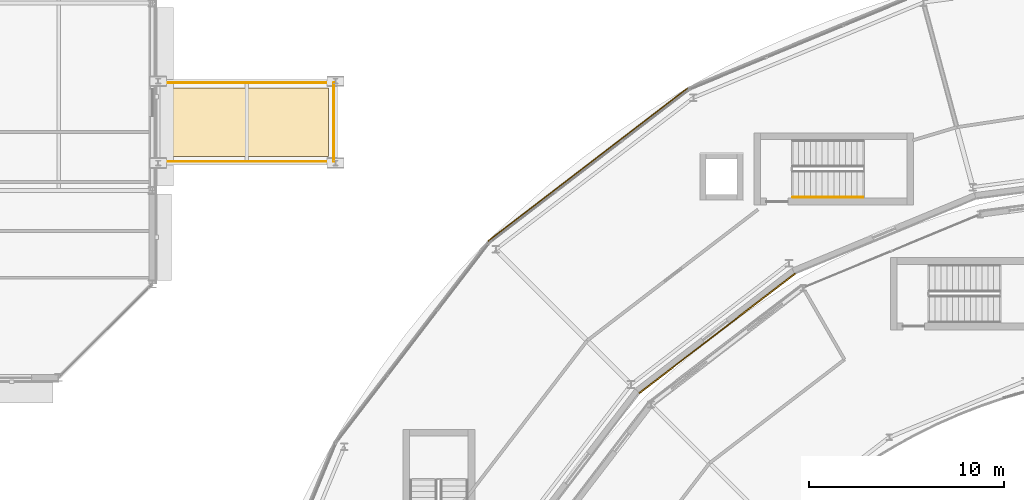
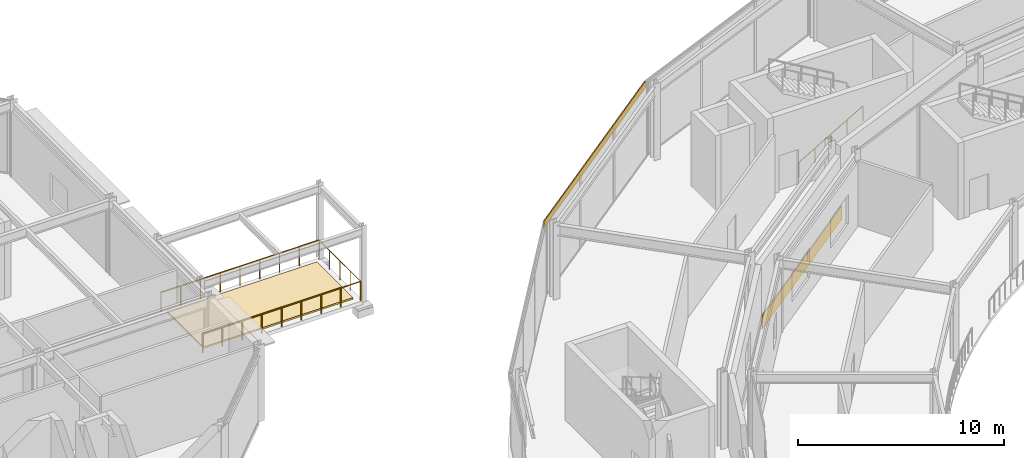
# One storey, part 145 of 157: 4 railings, 3 coverings.
"""IFC4 building model written with IfcOpenShell, lengths in metres."""

from ifc_helpers import new_model, si_unit, direction, frame, origin, origin_2d, place, context, subcontext, project, spatial, polyline, rectangle, circle, outline, extrude, material, layer, layer_set, type_object, element, save


model = new_model("IFC4")

# Units and contexts
model_context = context("Model", 3, precision=1e-05, world=origin(), true_north=direction((0.0, 1.0)))
body_context = subcontext(model_context, "Body", "Model", "MODEL_VIEW")
ifc_project = project(units=[si_unit("LENGTHUNIT", "METRE"), si_unit("AREAUNIT", "SQUARE_METRE"), si_unit("VOLUMEUNIT", "CUBIC_METRE"), si_unit("PLANEANGLEUNIT", "RADIAN"), si_unit("MASSUNIT", "GRAM", prefix="KILO")], contexts=[model_context])

# Site, building, storey
site_placement = place(None, origin())
site = spatial("IfcSite", under=ifc_project, at=site_placement, CompositionType="ELEMENT")
building_placement = place(site_placement, origin())
building = spatial("IfcBuilding", under=site, at=building_placement, Name="Almandine Court Research Institute", CompositionType="ELEMENT")
storey_placement = place(building_placement, frame((0.0, 0.0, 5.25)))
storey = spatial("IfcBuildingStorey", under=building, at=storey_placement, Name="L01", CompositionType="ELEMENT", Elevation=5.25)

# Coverings
ifc_material_1 = material(Name="Honed Andean Red-Buff Sandstone Cladding", Category="masonry")
ifc_layer_1 = layer(ifc_material_1, 0.06494140625)
ifc_layer_set_1 = layer_set([ifc_layer_1], Name="Honed Andean Red-Buff Sandstone Cladding")
covering_type_1 = type_object("IfcCoveringType", Name="Cov-CLAD-SAND", PredefinedType="CLADDING", material=ifc_layer_set_1)
covering_1_placement = place(storey_placement, frame((63.77294921875, 86.27001953125, 0.02001953125), z_axis=(0.0, 0.0, 1.0), x_axis=(-0.793353340291, -0.608761429009, 0.0)))
element("IfcCovering", 1, at=covering_1_placement, inside=storey, type_object=covering_type_1, Name="L01 Facade Spandrel Cladding Band 319", PredefinedType="CLADDING", context=body_context, shape_type="SweptSolid", body=[
    extrude(rectangle(XDim=10.080078125, YDim=0.06494140625, at=origin_2d()), origin(), (0.0, 0.0, 1.0), 0.800048828125),
])
ifc_material_2 = material(Name="Extruded Cream-Ochre Seismic Terracotta Spandrel", Category="masonry")
ifc_layer_2 = layer(ifc_material_2, 0.054931640625)
ifc_layer_set_2 = layer_set([ifc_layer_2], Name="Extruded Cream-Ochre Seismic Terracotta Spandrel")
covering_type_2 = type_object("IfcCoveringType", Name="Cov-CLAD-TERR", PredefinedType="CLADDING", material=ifc_layer_set_2)
covering_2_placement = place(storey_placement, frame((57.135009765625, 94.919921875, 3.97998046875), z_axis=(0.0, 0.0, 1.0), x_axis=(0.793353340291, 0.608761429009, 0.0)))
element("IfcCovering", 2, at=covering_2_placement, inside=storey, type_object=covering_type_2, Name="L01 Drum Stacked Terracotta Ring Band 08", PredefinedType="CLADDING", context=body_context, shape_type="SweptSolid", body=[
    extrude(rectangle(XDim=12.8779296875, YDim=0.054931640625, at=origin_2d()), origin(), (0.0, 0.0, 1.0), 0.419921875),
])
ifc_material_3 = material(Name="Thermoplastic Polyolefin Insulated Roof Membrane")
ifc_layer_3 = layer(ifc_material_3, 0.094970703125)
ifc_layer_set_3 = layer_set([ifc_layer_3], Name="Thermoplastic Polyolefin Insulated Roof Membrane")
covering_type_3 = type_object("IfcCoveringType", Name="Cov-ROOF-MEMB", PredefinedType="ROOFING", material=ifc_layer_set_3)
covering_3_placement = place(storey_placement, origin())
element("IfcCovering", 3, at=covering_3_placement, inside=storey, type_object=covering_type_3, Name="L01 Planted Green Roof Covering 20", PredefinedType="ROOFING", context=body_context, shape_type="SweptSolid", body=[
    extrude(outline(polyline([(35.449951171875, 95.35009765625), (35.449951171875, 98.85009765625), (43.85009765625, 98.85009765625), (43.85009765625, 95.35009765625), (35.449951171875, 95.35009765625)])), origin(), (0.0, 0.0, 1.0), 0.094970703125),
])

# Railings
ifc_material_4 = material(Name="Architectural Powder-Coated Aluminium Balustrade", Category="aluminium")
railing_type_1 = type_object("IfcRailingType", Name="Rail-BAL-EXT", PredefinedType="BALUSTRADE", material=ifc_material_4)
railing_1_placement = place(storey_placement, frame((35.25, 99.1201171875, 0.0)))
element("IfcRailing", 4, at=railing_1_placement, inside=storey, type_object=railing_type_1, Name="L01 Terrace Perimeter Balustrade 155", PredefinedType="BALUSTRADE", context=body_context, shape_type="SweptSolid", body=[
    extrude(circle(Radius=0.02392578125, at=origin_2d()), frame((0.0, 0.0, 1.1259765625), z_axis=(1.0, 0.0, 0.0), x_axis=(0.0, 1.0, 0.0)), (0.0, 0.0, 1.0), 8.8701171875),
    extrude(circle(Radius=0.02099609375, at=origin_2d()), origin(), (0.0, 0.0, 1.0), 1.101806640625),
    extrude(circle(Radius=0.02099609375, at=origin_2d()), frame((1.10888671875, 0.0, 0.0)), (0.0, 0.0, 1.0), 1.101806640625),
    extrude(circle(Radius=0.02099609375, at=origin_2d()), frame((2.217529296875, 0.0, 0.0)), (0.0, 0.0, 1.0), 1.101806640625),
    extrude(circle(Radius=0.02099609375, at=origin_2d()), frame((3.326171875, 0.0, 0.0)), (0.0, 0.0, 1.0), 1.101806640625),
    extrude(circle(Radius=0.02099609375, at=origin_2d()), frame((4.43505859375, 0.0, 0.0)), (0.0, 0.0, 1.0), 1.101806640625),
    extrude(circle(Radius=0.02099609375, at=origin_2d()), frame((5.5439453125, 0.0, 0.0)), (0.0, 0.0, 1.0), 1.101806640625),
    extrude(circle(Radius=0.02099609375, at=origin_2d()), frame((6.652587890625, 0.0, 0.0)), (0.0, 0.0, 1.0), 1.101806640625),
    extrude(circle(Radius=0.02099609375, at=origin_2d()), frame((7.76123046875, 0.0, 0.0)), (0.0, 0.0, 1.0), 1.101806640625),
    extrude(circle(Radius=0.02099609375, at=origin_2d()), frame((8.8701171875, 0.0, 0.0)), (0.0, 0.0, 1.0), 1.101806640625),
])
railing_2_placement = place(storey_placement, frame((44.1201171875, 99.1201171875, 0.0)))
element("IfcRailing", 5, at=railing_2_placement, inside=storey, type_object=railing_type_1, Name="L01 Terrace Perimeter Balustrade 156", PredefinedType="BALUSTRADE", context=body_context, shape_type="SweptSolid", body=[
    extrude(circle(Radius=0.02392578125, at=origin_2d()), frame((0.0, 0.0, 1.1259765625), z_axis=(0.0, -1.0, 0.0), x_axis=(1.0, 0.0, 0.0)), (0.0, 0.0, 1.0), 4.0400390625),
    extrude(circle(Radius=0.02099609375, at=origin_2d()), origin(), (0.0, 0.0, 1.0), 1.101806640625),
    extrude(circle(Radius=0.02099609375, at=origin_2d()), frame((0.0, -1.010009765625, 0.0)), (0.0, 0.0, 1.0), 1.101806640625),
    extrude(circle(Radius=0.02099609375, at=origin_2d()), frame((0.0, -2.02001953125, 0.0)), (0.0, 0.0, 1.0), 1.101806640625),
    extrude(circle(Radius=0.02099609375, at=origin_2d()), frame((0.0, -3.030029296875, 0.0)), (0.0, 0.0, 1.0), 1.101806640625),
    extrude(circle(Radius=0.02099609375, at=origin_2d()), frame((0.0, -4.0400390625, 0.0)), (0.0, 0.0, 1.0), 1.101806640625),
])
railing_3_placement = place(storey_placement, frame((44.1201171875, 95.080078125, 0.0)))
element("IfcRailing", 6, at=railing_3_placement, inside=storey, type_object=railing_type_1, Name="L01 Terrace Perimeter Balustrade 157", PredefinedType="BALUSTRADE", context=body_context, shape_type="SweptSolid", body=[
    extrude(circle(Radius=0.02392578125, at=origin_2d()), frame((0.0, 0.0, 1.1259765625), z_axis=(-1.0, 0.0, 0.0), x_axis=(0.0, -1.0, 0.0)), (0.0, 0.0, 1.0), 8.8701171875),
    extrude(circle(Radius=0.02099609375, at=origin_2d()), origin(), (0.0, 0.0, 1.0), 1.101806640625),
    extrude(circle(Radius=0.02099609375, at=origin_2d()), frame((-1.10888671875, 0.0, 0.0)), (0.0, 0.0, 1.0), 1.101806640625),
    extrude(circle(Radius=0.02099609375, at=origin_2d()), frame((-2.217529296875, 0.0, 0.0)), (0.0, 0.0, 1.0), 1.101806640625),
    extrude(circle(Radius=0.02099609375, at=origin_2d()), frame((-3.326171875, 0.0, 0.0)), (0.0, 0.0, 1.0), 1.101806640625),
    extrude(circle(Radius=0.02099609375, at=origin_2d()), frame((-4.43505859375, 0.0, 0.0)), (0.0, 0.0, 1.0), 1.101806640625),
    extrude(circle(Radius=0.02099609375, at=origin_2d()), frame((-5.5439453125, 0.0, 0.0)), (0.0, 0.0, 1.0), 1.101806640625),
    extrude(circle(Radius=0.02099609375, at=origin_2d()), frame((-6.652587890625, 0.0, 0.0)), (0.0, 0.0, 1.0), 1.101806640625),
    extrude(circle(Radius=0.02099609375, at=origin_2d()), frame((-7.76123046875, 0.0, 0.0)), (0.0, 0.0, 1.0), 1.101806640625),
    extrude(circle(Radius=0.02099609375, at=origin_2d()), frame((-8.8701171875, 0.0, 0.0)), (0.0, 0.0, 1.0), 1.101806640625),
])
ifc_material_5 = material(Name="Brushed Stainless Steel Wall Handrail", Category="steel")
railing_type_2 = type_object("IfcRailingType", Name="Rail-HAND-INT", PredefinedType="HANDRAIL", material=ifc_material_5)
railing_4_placement = place(storey_placement, frame((67.64990234375, 93.25, 0.175048828125)))
element("IfcRailing", 7, at=railing_4_placement, inside=storey, type_object=railing_type_2, Name="L01 ST-10 stair handrail 1", PredefinedType="HANDRAIL", context=body_context, shape_type="SweptSolid", body=[
    extrude(circle(Radius=0.02392578125, at=origin_2d()), frame((0.0, 0.0, 0.8759765625), z_axis=(0.863800146258, 0.0, 0.503834603144), x_axis=(0.0, 1.0, 0.0)), (0.0, 0.0, 1.0), 4.167724609375),
    extrude(circle(Radius=0.02099609375, at=origin_2d()), origin(), (0.0, 0.0, 1.0), 0.851806640625),
    extrude(circle(Radius=0.02099609375, at=origin_2d()), frame((0.89990234375, 0.0, 0.52490234375)), (0.0, 0.0, 1.0), 0.851806640625),
    extrude(circle(Radius=0.02099609375, at=origin_2d()), frame((1.800048828125, 0.0, 1.0498046875)), (0.0, 0.0, 1.0), 0.851806640625),
    extrude(circle(Radius=0.02099609375, at=origin_2d()), frame((2.7001953125, 0.0, 1.574951171875)), (0.0, 0.0, 1.0), 0.851806640625),
    extrude(circle(Radius=0.02099609375, at=origin_2d()), frame((3.60009765625, 0.0, 2.099853515625)), (0.0, 0.0, 1.0), 0.851806640625),
])

save(model, "model.ifc")
